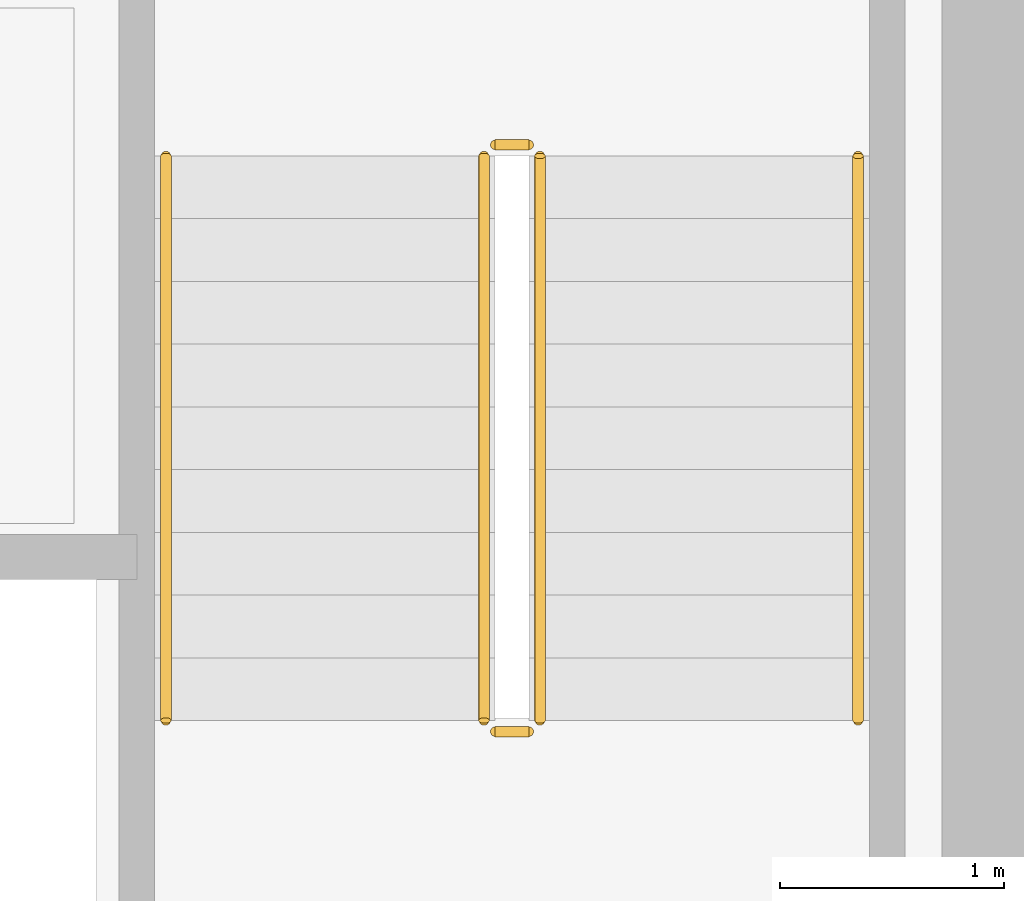
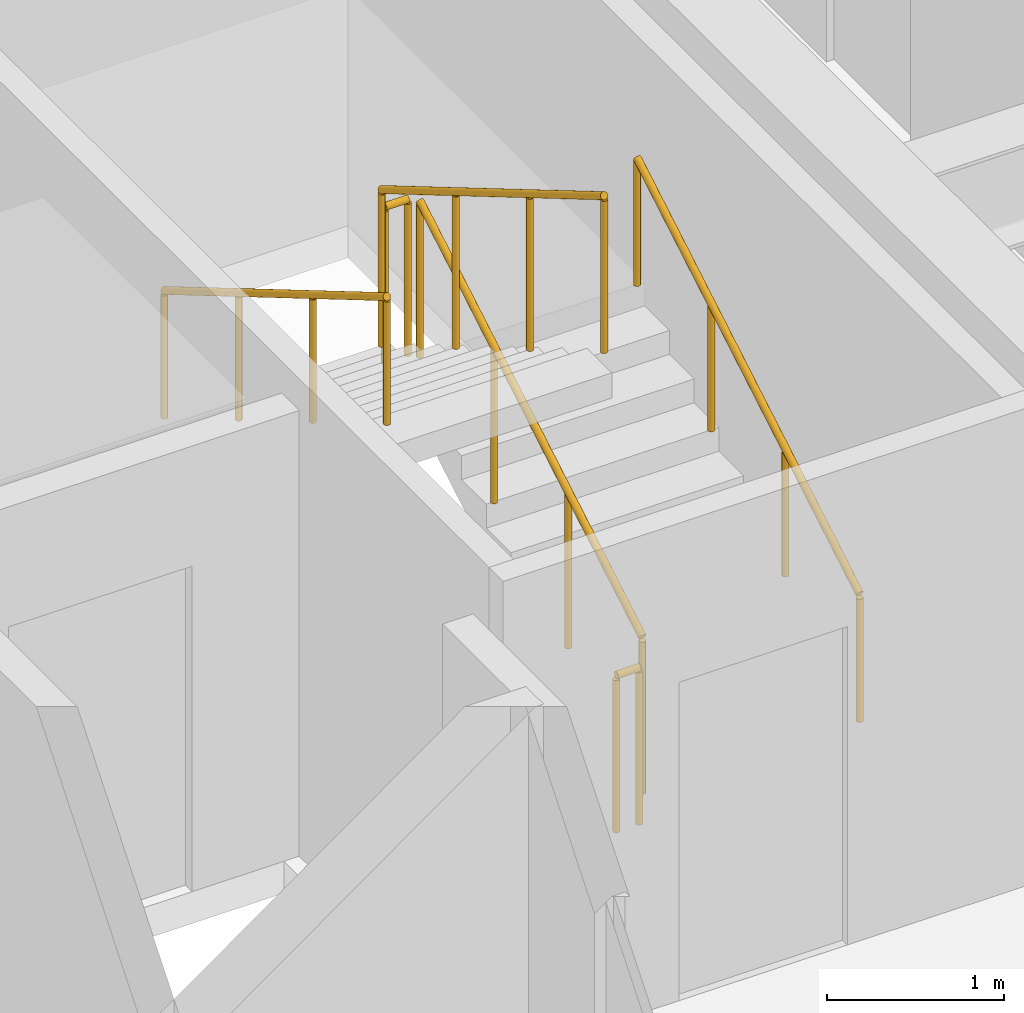
# One storey, part 33 of 33: 6 railings.
"""IFC4 building model written with IfcOpenShell, lengths in metres."""

from ifc_helpers import new_model, si_unit, direction, frame, origin, origin_2d, place, context, subcontext, project, spatial, circle, extrude, material, type_object, element, save


model = new_model("IFC4")

# Units and contexts
model_context = context("Model", 3, precision=1e-05, world=origin(), true_north=direction((0.0, 1.0)))
body_context = subcontext(model_context, "Body", "Model", "MODEL_VIEW")
ifc_project = project(units=[si_unit("LENGTHUNIT", "METRE"), si_unit("AREAUNIT", "SQUARE_METRE"), si_unit("VOLUMEUNIT", "CUBIC_METRE"), si_unit("PLANEANGLEUNIT", "RADIAN"), si_unit("MASSUNIT", "GRAM", prefix="KILO")], contexts=[model_context])

# Site, building, storey
site_placement = place(None, origin())
site = spatial("IfcSite", under=ifc_project, at=site_placement, CompositionType="ELEMENT")
building_placement = place(site_placement, origin())
building = spatial("IfcBuilding", under=site, at=building_placement, Name="Kolvaren Belvedere", CompositionType="ELEMENT")
storey_placement = place(building_placement, frame((0.0, 0.0, 209.699951171875)))
storey = spatial("IfcBuildingStorey", under=building, at=storey_placement, Name="L61", CompositionType="ELEMENT", Elevation=209.699951171875)

# Railings
ifc_material_1 = material(Name="Brushed stainless-steel handrail", Category="steel")
railing_type_1 = type_object("IfcRailingType", Name="RL-HANDRAIL-920", PredefinedType="HANDRAIL", material=ifc_material_1)
railing_1_placement = place(storey_placement, frame((9.300048828125, 3.570068359375, 0.1650390625)))
element("IfcRailing", 1, at=railing_1_placement, inside=storey, type_object=railing_type_1, Name="L61 ST-2 stair handrail 1", PredefinedType="HANDRAIL", context=body_context, shape_type="SweptSolid", body=[
    extrude(circle(Radius=0.02392578125, at=origin_2d()), frame((0.0, 0.0, 0.8759765625), z_axis=(0.0, 0.86152411907, 0.507716645641), x_axis=(-1.0, 0.0, 0.0)), (0.0, 0.0, 1.0), 2.925048828125),
    extrude(circle(Radius=0.02099609375, at=origin_2d()), origin(), (0.0, 0.0, 1.0), 0.851806640625),
    extrude(circle(Radius=0.02099609375, at=origin_2d()), frame((0.0, 0.840087890625, 0.4951171875)), (0.0, 0.0, 1.0), 0.851806640625),
    extrude(circle(Radius=0.02099609375, at=origin_2d()), frame((0.0, 1.679931640625, 0.989990234375)), (0.0, 0.0, 1.0), 0.851806640625),
    extrude(circle(Radius=0.02099609375, at=origin_2d()), frame((0.0, 2.52001953125, 1.485107421875)), (0.0, 0.0, 1.0), 0.851806640625),
])
railing_2_placement = place(storey_placement, frame((6.2099609375, 6.090087890625, 1.81494140625)))
element("IfcRailing", 2, at=railing_2_placement, inside=storey, type_object=railing_type_1, Name="L61 ST-2 stair handrail 2", PredefinedType="HANDRAIL", context=body_context, shape_type="SweptSolid", body=[
    extrude(circle(Radius=0.02392578125, at=origin_2d()), frame((0.0, 0.0, 0.8759765625), z_axis=(0.0, -0.86152411907, 0.507716645641), x_axis=(1.0, 0.0, 0.0)), (0.0, 0.0, 1.0), 2.925048828125),
    extrude(circle(Radius=0.02099609375, at=origin_2d()), origin(), (0.0, 0.0, 1.0), 0.851806640625),
    extrude(circle(Radius=0.02099609375, at=origin_2d()), frame((0.0, -0.840087890625, 0.4951171875)), (0.0, 0.0, 1.0), 0.851806640625),
    extrude(circle(Radius=0.02099609375, at=origin_2d()), frame((0.0, -1.679931640625, 0.989990234375)), (0.0, 0.0, 1.0), 0.851806640625),
    extrude(circle(Radius=0.02099609375, at=origin_2d()), frame((0.0, -2.52001953125, 1.485107421875)), (0.0, 0.0, 1.0), 0.851806640625),
])
ifc_material_2 = material(Name="Painted tubular steel stair guard", Category="steel")
railing_type_2 = type_object("IfcRailingType", Name="RL-STGUARD-1100", PredefinedType="GUARDRAIL", material=ifc_material_2)
railing_3_placement = place(storey_placement, frame((7.8798828125, 3.570068359375, 0.1650390625)))
element("IfcRailing", 3, at=railing_3_placement, inside=storey, type_object=railing_type_2, Name="L61 ST-2 stair guard 1", PredefinedType="GUARDRAIL", context=body_context, shape_type="SweptSolid", body=[
    extrude(circle(Radius=0.02392578125, at=origin_2d()), frame((0.0, 0.0, 1.076171875), z_axis=(0.0, 0.86152411907, 0.507716645641), x_axis=(-1.0, 0.0, 0.0)), (0.0, 0.0, 1.0), 2.925048828125),
    extrude(circle(Radius=0.02099609375, at=origin_2d()), origin(), (0.0, 0.0, 1.0), 1.052001953125),
    extrude(circle(Radius=0.02099609375, at=origin_2d()), frame((0.0, 0.840087890625, 0.4951171875)), (0.0, 0.0, 1.0), 1.052001953125),
    extrude(circle(Radius=0.02099609375, at=origin_2d()), frame((0.0, 1.679931640625, 0.989990234375)), (0.0, 0.0, 1.0), 1.052001953125),
    extrude(circle(Radius=0.02099609375, at=origin_2d()), frame((0.0, 2.52001953125, 1.485107421875)), (0.0, 0.0, 1.0), 1.052001953125),
])
railing_4_placement = place(storey_placement, frame((7.830078125, 6.139892578125, 1.650146484375)))
element("IfcRailing", 4, at=railing_4_placement, inside=storey, type_object=railing_type_2, Name="L61 ST-2 stair guard 2", PredefinedType="GUARDRAIL", context=body_context, shape_type="SweptSolid", body=[
    extrude(circle(Radius=0.02392578125, at=origin_2d()), frame((0.0, 0.0, 1.076171875), z_axis=(-1.0, 0.0, 0.0), x_axis=(0.0, -1.0, 0.0)), (0.0, 0.0, 1.0), 0.150146484375),
    extrude(circle(Radius=0.02099609375, at=origin_2d()), origin(), (0.0, 0.0, 1.0), 1.052001953125),
    extrude(circle(Radius=0.02099609375, at=origin_2d()), frame((-0.150146484375, 0.0, 0.0)), (0.0, 0.0, 1.0), 1.052001953125),
])
railing_5_placement = place(storey_placement, frame((7.6298828125, 6.090087890625, 1.81494140625)))
element("IfcRailing", 5, at=railing_5_placement, inside=storey, type_object=railing_type_2, Name="L61 ST-2 stair guard 3", PredefinedType="GUARDRAIL", context=body_context, shape_type="SweptSolid", body=[
    extrude(circle(Radius=0.02392578125, at=origin_2d()), frame((0.0, 0.0, 1.076171875), z_axis=(0.0, -0.86152411907, 0.507716645641), x_axis=(1.0, 0.0, 0.0)), (0.0, 0.0, 1.0), 2.925048828125),
    extrude(circle(Radius=0.02099609375, at=origin_2d()), origin(), (0.0, 0.0, 1.0), 1.052001953125),
    extrude(circle(Radius=0.02099609375, at=origin_2d()), frame((0.0, -0.840087890625, 0.4951171875)), (0.0, 0.0, 1.0), 1.052001953125),
    extrude(circle(Radius=0.02099609375, at=origin_2d()), frame((0.0, -1.679931640625, 0.989990234375)), (0.0, 0.0, 1.0), 1.052001953125),
    extrude(circle(Radius=0.02099609375, at=origin_2d()), frame((0.0, -2.52001953125, 1.485107421875)), (0.0, 0.0, 1.0), 1.052001953125),
])
railing_6_placement = place(storey_placement, frame((7.830078125, 3.52001953125, 0.0)))
element("IfcRailing", 6, at=railing_6_placement, inside=storey, type_object=railing_type_2, Name="L61 ST-2 stair guard 4", PredefinedType="GUARDRAIL", context=body_context, shape_type="SweptSolid", body=[
    extrude(circle(Radius=0.02392578125, at=origin_2d()), frame((0.0, 0.0, 1.076171875), z_axis=(-1.0, 0.0, 0.0), x_axis=(0.0, -1.0, 0.0)), (0.0, 0.0, 1.0), 0.150146484375),
    extrude(circle(Radius=0.02099609375, at=origin_2d()), origin(), (0.0, 0.0, 1.0), 1.052001953125),
    extrude(circle(Radius=0.02099609375, at=origin_2d()), frame((-0.150146484375, 0.0, 0.0)), (0.0, 0.0, 1.0), 1.052001953125),
])

save(model, "model.ifc")
